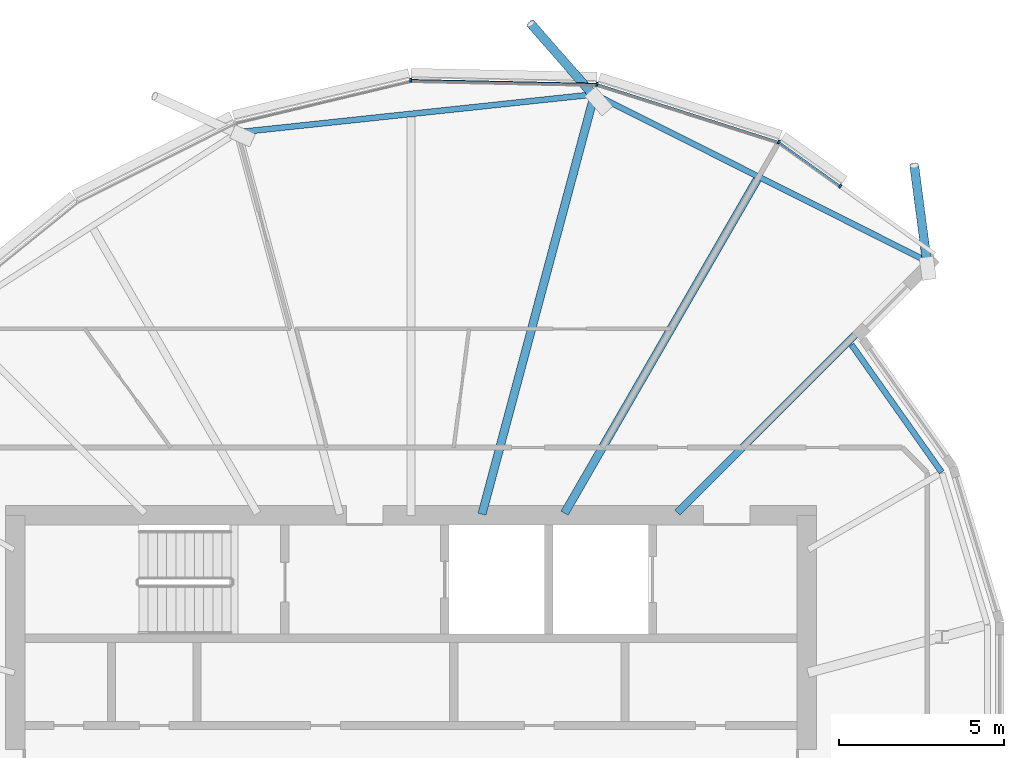
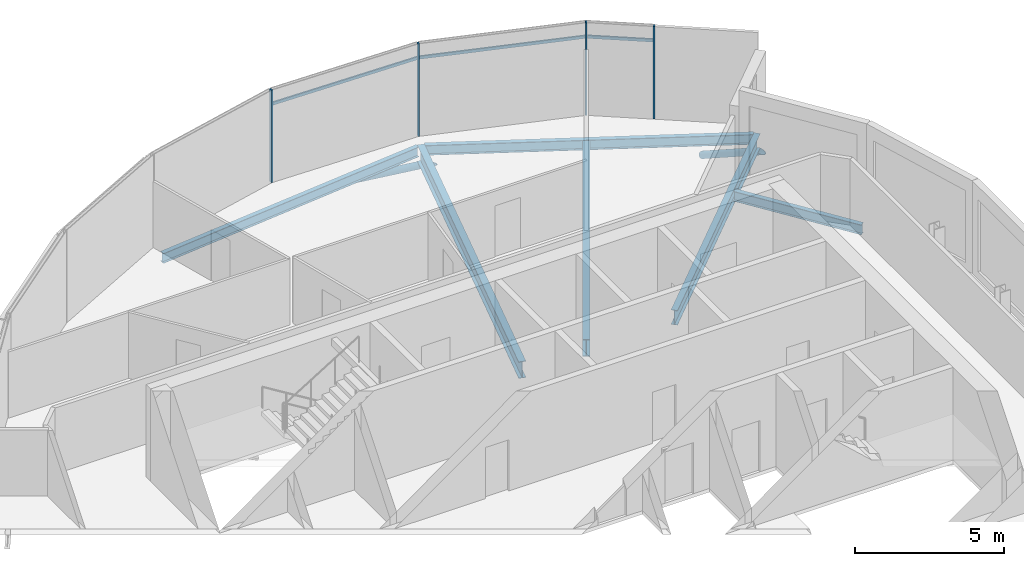
# One storey, part 17 of 37: 9 members, 6 beams, 1 element without a shape of its own.
"""IFC4 building model written with IfcOpenShell, lengths in metres."""

from ifc_helpers import new_model, si_unit, direction, frame, origin, origin_2d, place, context, subcontext, project, spatial, rectangle, hollow_circle, i_section, extrude, clip, halfspace, material, material_profile, profile_set, type_object, element, aggregate, save


model = new_model("IFC4")

# Units and contexts
model_context = context("Model", 3, precision=1e-05, world=origin(), true_north=direction((0.0, 1.0)))
body_context = subcontext(model_context, "Body", "Model", "MODEL_VIEW")
ifc_project = project(units=[si_unit("LENGTHUNIT", "METRE"), si_unit("AREAUNIT", "SQUARE_METRE"), si_unit("VOLUMEUNIT", "CUBIC_METRE"), si_unit("PLANEANGLEUNIT", "RADIAN"), si_unit("MASSUNIT", "GRAM", prefix="KILO")], contexts=[model_context])

# Site, building, storey
site_placement = place(None, origin())
site = spatial("IfcSite", under=ifc_project, at=site_placement, CompositionType="ELEMENT")
building_placement = place(site_placement, origin())
building = spatial("IfcBuilding", under=site, at=building_placement, Name="Rimbun Link Towers", CompositionType="ELEMENT")
storey_placement = place(building_placement, frame((0.0, 0.0, 166.5)))
storey = spatial("IfcBuildingStorey", under=building, at=storey_placement, Name="L40", CompositionType="ELEMENT", Elevation=166.5)

# Curtain wall, members
ifc_material_1 = material(Name="Aluminium 6063-T6 and low-iron glass", Category="aluminium")
curtain_wall_type = type_object("IfcCurtainWallType", Name="CW1-Z3 unitised vision wall (zone 3)", PredefinedType="NOTDEFINED", material=ifc_material_1)
curtain_wall_placement = place(storey_placement, origin())
curtain_wall = element("IfcCurtainWall", 1, at=curtain_wall_placement, inside=storey, type_object=curtain_wall_type, Name="CW1 L40 T2", PredefinedType="NOTDEFINED")
ifc_material_2 = material(Name="Aluminium 6063-T6", Category="aluminium")
ifc_material_profile_1 = material_profile(ifc_material_2, rectangle(XDim=0.1201171875, YDim=0.06005859375, at=origin_2d()), Name="MULLION 60X120")
ifc_profile_set_1 = profile_set([ifc_material_profile_1], Name="Aluminium 6063-T6")
member_type_1 = type_object("IfcMemberType", Name="CW1 mullion 60X120", PredefinedType="MULLION", material=ifc_profile_set_1)
member_1_placement = place(storey_placement, frame((42.900634765625, 19.3203125, 0.0), z_axis=(0.0, 0.0, 1.0), x_axis=(0.448577408247, 0.893743983929, 0.0)))
member_1 = element("IfcMember", 2, at=member_1_placement, type_object=member_type_1, Name="CW1 mullion", PredefinedType="MULLION", context=body_context, shape_type="SweptSolid", body=[
    extrude(rectangle(XDim=0.1201171875, YDim=0.06005859375, at=origin_2d()), origin(), (0.0, 0.0, 1.0), 3.800048828125),
])
member_2_placement = place(storey_placement, frame((44.765380859375, 17.98291015625, 0.0), z_axis=(0.0, 0.0, 1.0), x_axis=(0.583003796314, 0.812469429261, 0.0)))
member_2 = element("IfcMember", 3, at=member_2_placement, type_object=member_type_1, Name="CW1 mullion", PredefinedType="MULLION", context=body_context, shape_type="SweptSolid", body=[
    extrude(rectangle(XDim=0.1201171875, YDim=0.06005859375, at=origin_2d()), origin(), (0.0, 0.0, 1.0), 3.800048828125),
])
member_3_placement = place(storey_placement, frame((37.390380859375, 21.07275390625, 0.0), z_axis=(0.0, 0.0, 1.0), x_axis=(0.163751896819, 0.986501554123, 0.0)))
member_3 = element("IfcMember", 4, at=member_3_placement, type_object=member_type_1, Name="CW1 mullion", PredefinedType="MULLION", context=body_context, shape_type="SweptSolid", body=[
    extrude(rectangle(XDim=0.1201171875, YDim=0.06005859375, at=origin_2d()), origin(), (0.0, 0.0, 1.0), 3.800048828125),
])
member_4_placement = place(storey_placement, frame((31.74365234375, 21.19189453125, 0.0), z_axis=(0.0, 0.0, 1.0), x_axis=(-0.106647052549, 0.994296940648, 0.0)))
member_4 = element("IfcMember", 5, at=member_4_placement, type_object=member_type_1, Name="CW1 mullion", PredefinedType="MULLION", context=body_context, shape_type="SweptSolid", body=[
    extrude(rectangle(XDim=0.1201171875, YDim=0.06005859375, at=origin_2d()), origin(), (0.0, 0.0, 1.0), 3.800048828125),
])
ifc_material_3 = material(Name="Aluminium 6063-T6", Category="aluminium")
ifc_material_profile_2 = material_profile(ifc_material_3, rectangle(XDim=0.06005859375, YDim=0.1201171875, at=origin_2d()), Name="TRANSOM 60X120")
ifc_profile_set_2 = profile_set([ifc_material_profile_2], Name="Aluminium 6063-T6")
member_type_2 = type_object("IfcMemberType", Name="CW1 transom 60X120", PredefinedType="USERDEFINED", material=ifc_profile_set_2)
member_5_placement = place(storey_placement, frame((42.931884765625, 19.296142578125, 3.199951171875), z_axis=(0.812448996076, -0.583032270783, 0.0), x_axis=(0.583032270783, 0.812448996076, 0.0)))
member_5 = element("IfcMember", 6, at=member_5_placement, type_object=member_type_2, Name="CW1 transom", ObjectType="TRANSOM", PredefinedType="USERDEFINED", context=body_context, shape_type="SweptSolid", body=[
    extrude(rectangle(XDim=0.06005859375, YDim=0.1201171875, at=origin_2d()), origin(), (0.0, 0.0, 1.0), 2.22509765625),
])
member_6_placement = place(storey_placement, frame((37.4267578125, 21.059814453125, 3.199951171875), z_axis=(0.95296680575, -0.303074689042, 0.0), x_axis=(0.303074689042, 0.95296680575, 0.0)))
member_6 = element("IfcMember", 7, at=member_6_placement, type_object=member_type_2, Name="CW1 transom", ObjectType="TRANSOM", PredefinedType="USERDEFINED", context=body_context, shape_type="SweptSolid", body=[
    extrude(rectangle(XDim=0.06005859375, YDim=0.1201171875, at=origin_2d()), origin(), (0.0, 0.0, 1.0), 5.7041015625),
])
member_7_placement = place(storey_placement, frame((31.78125, 21.189453125, 3.199951171875), z_axis=(0.999778796867, -0.021032292698, 0.0), x_axis=(0.021032292698, 0.999778796867, 0.0)))
member_7 = element("IfcMember", 8, at=member_7_placement, type_object=member_type_2, Name="CW1 transom", ObjectType="TRANSOM", PredefinedType="USERDEFINED", context=body_context, shape_type="SweptSolid", body=[
    extrude(rectangle(XDim=0.06005859375, YDim=0.1201171875, at=origin_2d()), origin(), (0.0, 0.0, 1.0), 5.57177734375),
])
aggregate(curtain_wall, [member_1, member_2, member_3, member_4, member_5, member_6, member_7])

# Members
ifc_material_4 = material(Name="Steel S355J2H", Category="steel")
ifc_material_profile_3 = material_profile(ifc_material_4, hollow_circle(Radius=0.136474609375, WallThickness=0.012451171875, at=origin_2d()), Name="CHS 273x12.5")
ifc_profile_set_3 = profile_set([ifc_material_profile_3], Name="Steel S355J2H")
member_type_3 = type_object("IfcMemberType", Name="Floor edge link CHS 273x12.5", PredefinedType="BRACE", material=ifc_profile_set_3)
member_8_placement = place(storey_placement, frame((47.400146484375, 15.650146484375, -0.86962890625), z_axis=(-0.111830981966, 0.848994009155, -0.516432961662), x_axis=(-0.991435973098, -0.130593687626, 0.0)))
element("IfcMember", 9, at=member_8_placement, inside=storey, type_object=member_type_3, Name="Floor edge link T2 L40 00", PredefinedType="BRACE", context=body_context, shape_type="Clipping", body=[
    clip(extrude(hollow_circle(Radius=0.136474609375, WallThickness=0.012451171875, at=origin_2d()), frame((0.0, 0.0, -0.47216796875)), (0.0, 0.0, 1.0), 3.969482421875), halfspace(frame((0.0, 0.0, -0.22265625), z_axis=(0.0, 0.856327621947, -0.516432961662)), False)),
])
member_9_placement = place(storey_placement, frame((37.301025390625, 20.716796875, -0.956787109375), z_axis=(-0.594664843639, 0.679197580273, -0.430191086253), x_axis=(-0.752375209282, -0.658734805865, 0.0)))
element("IfcMember", 10, at=member_9_placement, inside=storey, type_object=member_type_3, Name="Floor edge link T2 L40 02", PredefinedType="BRACE", context=body_context, shape_type="Clipping", body=[
    clip(extrude(hollow_circle(Radius=0.136474609375, WallThickness=0.012451171875, at=origin_2d()), frame((0.0, 0.0, -0.59619140625)), (0.0, 0.0, 1.0), 3.839599609375), halfspace(frame((0.0, 0.0, -0.281982421875), z_axis=(0.0, 0.902737851931, -0.430191086253)), False)),
])

# Beams
ifc_material_5 = material(Name="Steel S355J2", Category="steel")
ifc_material_profile_4 = material_profile(ifc_material_5, i_section(OverallWidth=0.177978515625, OverallDepth=0.406494140625, WebThickness=0.0078125, FlangeThickness=0.0126953125, at=origin_2d()), Name="UB 406x178x60")
ifc_profile_set_4 = profile_set([ifc_material_profile_4], Name="Steel S355J2")
beam_type_1 = type_object("IfcBeamType", Name="UB 406x178x60", PredefinedType="BEAM", material=ifc_profile_set_4)
beam_1_placement = place(storey_placement, frame((47.327392578125, 15.73974609375, -0.353271484375), z_axis=(-0.893769188374, 0.448527187485, 0.0), x_axis=(-0.448527187485, -0.893769188374, 0.0)))
element("IfcBeam", 11, at=beam_1_placement, inside=storey, type_object=beam_type_1, Name="Edge beam T2 L40 00-02", PredefinedType="BEAM", context=body_context, shape_type="SweptSolid", body=[
    extrude(i_section(OverallWidth=0.177978515625, OverallDepth=0.406494140625, WebThickness=0.0078125, FlangeThickness=0.0126953125, at=origin_2d()), origin(), (0.0, 0.0, 1.0), 11.072998046875),
])
beam_2_placement = place(storey_placement, frame((37.177734375, 20.75048828125, -0.353271484375), z_axis=(-0.994378470581, -0.105884168998, 0.0), x_axis=(0.105884168998, -0.994378470581, 0.0)))
element("IfcBeam", 12, at=beam_2_placement, inside=storey, type_object=beam_type_1, Name="Edge beam T2 L40 02-04", PredefinedType="BEAM", context=body_context, shape_type="SweptSolid", body=[
    extrude(i_section(OverallWidth=0.177978515625, OverallDepth=0.406494140625, WebThickness=0.0078125, FlangeThickness=0.0126953125, at=origin_2d()), origin(), (0.0, 0.0, 1.0), 10.627197265625),
])
beam_3_placement = place(storey_placement, frame((47.8408203125, 9.307861328125, -0.353271484375), z_axis=(-0.577373343497, 0.81648026444, 0.0), x_axis=(-0.81648026444, -0.577373343497, 0.0)))
element("IfcBeam", 13, at=beam_3_placement, inside=storey, type_object=beam_type_1, Name="Edge beam T2 L40 23 recess", PredefinedType="BEAM", context=body_context, shape_type="SweptSolid", body=[
    extrude(i_section(OverallWidth=0.177978515625, OverallDepth=0.406494140625, WebThickness=0.0078125, FlangeThickness=0.0126953125, at=origin_2d()), origin(), (0.0, 0.0, 1.0), 4.734619140625),
])
ifc_material_6 = material(Name="Steel S355J2", Category="steel")
ifc_material_profile_5 = material_profile(ifc_material_6, i_section(OverallWidth=0.2275390625, OverallDepth=0.6025390625, WebThickness=0.010498046875, FlangeThickness=0.014892578125, at=origin_2d()), Name="UB 610x229x101")
ifc_profile_set_5 = profile_set([ifc_material_profile_5], Name="Steel S355J2")
beam_type_2 = type_object("IfcBeamType", Name="UB 610x229x101", PredefinedType="BEAM", material=ifc_profile_set_5)
beam_4_placement = place(storey_placement, frame((39.831298828125, 8.081298828125, -0.451416015625), z_axis=(0.707106781187, 0.707106781187, 0.0), x_axis=(-0.707106781187, 0.707106781187, 0.0)))
element("IfcBeam", 14, at=beam_4_placement, inside=storey, type_object=beam_type_2, Name="Radial beam T2 L40 00", PredefinedType="BEAM", context=body_context, shape_type="SweptSolid", body=[
    extrude(i_section(OverallWidth=0.2275390625, OverallDepth=0.6025390625, WebThickness=0.010498046875, FlangeThickness=0.014892578125, at=origin_2d()), origin(), (0.0, 0.0, 1.0), 10.753662109375),
])
ifc_material_7 = material(Name="Steel S355J2", Category="steel")
ifc_material_profile_6 = material_profile(ifc_material_7, i_section(OverallWidth=0.253662109375, OverallDepth=0.68359375, WebThickness=0.012451171875, FlangeThickness=0.01904296875, at=origin_2d()), Name="UB 686x254x140")
ifc_profile_set_6 = profile_set([ifc_material_profile_6], Name="Steel S355J2")
beam_type_3 = type_object("IfcBeamType", Name="UB 686x254x140", PredefinedType="BEAM", material=ifc_profile_set_6)
beam_5_placement = place(storey_placement, frame((36.406005859375, 8.064208984375, -0.49169921875), z_axis=(0.499989438348, 0.866031501471, 0.0), x_axis=(-0.866031501471, 0.499989438348, 0.0)))
element("IfcBeam", 15, at=beam_5_placement, inside=storey, type_object=beam_type_3, Name="Radial beam T2 L40 01", PredefinedType="BEAM", context=body_context, shape_type="SweptSolid", body=[
    extrude(i_section(OverallWidth=0.253662109375, OverallDepth=0.68359375, WebThickness=0.012451171875, FlangeThickness=0.01904296875, at=origin_2d()), origin(), (0.0, 0.0, 1.0), 11.688720703125),
])
beam_6_placement = place(storey_placement, frame((33.902587890625, 8.03369140625, -0.49169921875), z_axis=(0.258823425511, 0.965924652552, 0.0), x_axis=(-0.965924652552, 0.258823425511, 0.0)))
element("IfcBeam", 16, at=beam_6_placement, inside=storey, type_object=beam_type_3, Name="Radial beam T2 L40 02", PredefinedType="BEAM", context=body_context, shape_type="SweptSolid", body=[
    extrude(i_section(OverallWidth=0.253662109375, OverallDepth=0.68359375, WebThickness=0.012451171875, FlangeThickness=0.01904296875, at=origin_2d()), origin(), (0.0, 0.0, 1.0), 13.180419921875),
])

save(model, "model.ifc")
